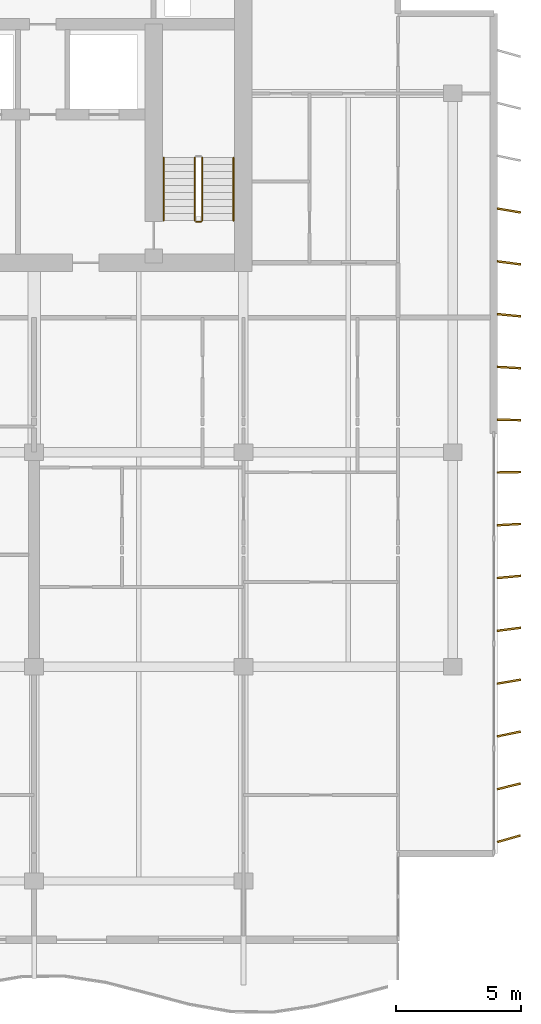
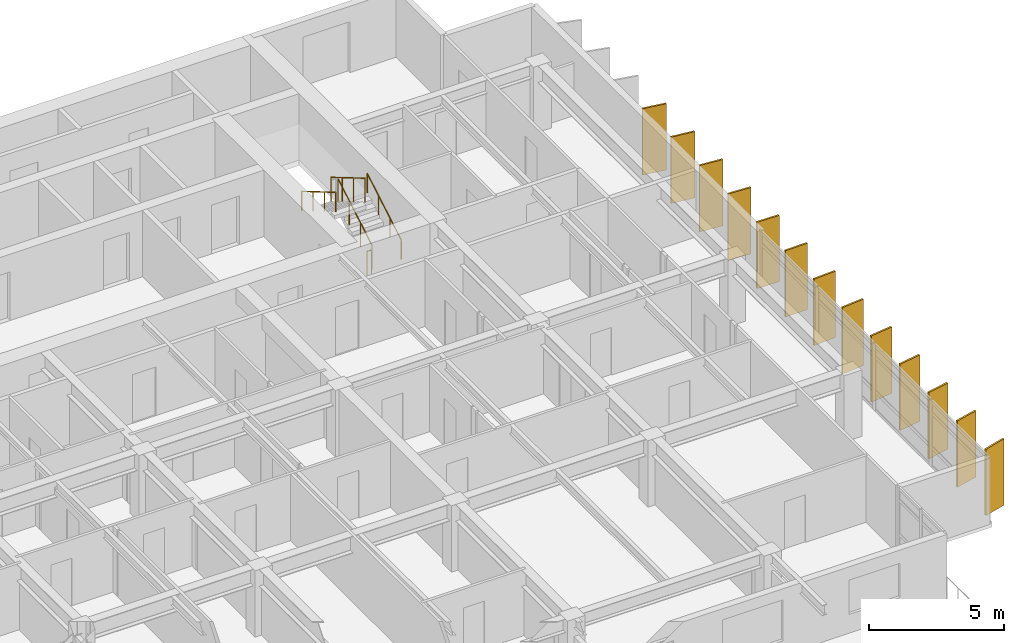
# One storey, part 14 of 16: 13 shading devices, 5 railings.
"""IFC4 building model written with IfcOpenShell, lengths in metres."""

from ifc_helpers import new_model, si_unit, direction, frame, origin, origin_2d, place, context, subcontext, project, spatial, rectangle, circle, extrude, material, material_profile, profile_set, type_object, element, save


model = new_model("IFC4")

# Units and contexts
model_context = context("Model", 3, precision=1e-05, world=origin(), true_north=direction((0.0, 1.0)))
body_context = subcontext(model_context, "Body", "Model", "MODEL_VIEW")
ifc_project = project(units=[si_unit("LENGTHUNIT", "METRE"), si_unit("AREAUNIT", "SQUARE_METRE"), si_unit("VOLUMEUNIT", "CUBIC_METRE"), si_unit("PLANEANGLEUNIT", "RADIAN"), si_unit("MASSUNIT", "GRAM", prefix="KILO")], contexts=[model_context])

# Site, building, storey
site_placement = place(None, origin())
site = spatial("IfcSite", under=ifc_project, at=site_placement, CompositionType="ELEMENT")
building_placement = place(site_placement, origin())
building = spatial("IfcBuilding", under=site, at=building_placement, Name="Caelmar Bay Residences", CompositionType="ELEMENT")
storey_placement = place(building_placement, frame((0.0, 0.0, 266.10009765625)))
storey = spatial("IfcBuildingStorey", under=building, at=storey_placement, Name="L75", CompositionType="ELEMENT", Elevation=266.10009765625)

# Railings
ifc_material_1 = material(Name="Painted galvanized steel stair guard 1100 mm", Category="steel")
railing_type_1 = type_object("IfcRailingType", Name="RL-GRD-1100", PredefinedType="GUARDRAIL", material=ifc_material_1)
railing_1_placement = place(storey_placement, frame((57.85009765625, 38.699951171875, 0.164794921875)))
element("IfcRailing", 1, at=railing_1_placement, inside=storey, type_object=railing_type_1, Name="L75 ST2 stair guard 1", PredefinedType="GUARDRAIL", context=body_context, shape_type="SweptSolid", body=[
    extrude(circle(Radius=0.02392578125, at=origin_2d()), frame((0.0, 0.0, 1.076171875), z_axis=(0.0, 0.86152411907, 0.507716645641), x_axis=(-1.0, 0.0, 0.0)), (0.0, 0.0, 1.0), 2.925048828125),
    extrude(circle(Radius=0.02099609375, at=origin_2d()), origin(), (0.0, 0.0, 1.0), 1.052001953125),
    extrude(circle(Radius=0.02099609375, at=origin_2d()), frame((0.0, 0.840087890625, 0.4951171875)), (0.0, 0.0, 1.0), 1.052001953125),
    extrude(circle(Radius=0.02099609375, at=origin_2d()), frame((0.0, 1.679931640625, 0.989990234375)), (0.0, 0.0, 1.0), 1.052001953125),
    extrude(circle(Radius=0.02099609375, at=origin_2d()), frame((0.0, 2.52001953125, 1.485107421875)), (0.0, 0.0, 1.0), 1.052001953125),
])
railing_2_placement = place(storey_placement, frame((57.550048828125, 41.219970703125, 1.81494140625)))
element("IfcRailing", 2, at=railing_2_placement, inside=storey, type_object=railing_type_1, Name="L75 ST2 stair guard 3", PredefinedType="GUARDRAIL", context=body_context, shape_type="SweptSolid", body=[
    extrude(circle(Radius=0.02392578125, at=origin_2d()), frame((0.0, 0.0, 1.076171875), z_axis=(0.0, -0.861560626758, 0.507654692109), x_axis=(1.0, 0.0, 0.0)), (0.0, 0.0, 1.0), 2.925048828125),
    extrude(circle(Radius=0.02099609375, at=origin_2d()), origin(), (0.0, 0.0, 1.0), 1.052001953125),
    extrude(circle(Radius=0.02099609375, at=origin_2d()), frame((0.0, -0.840087890625, 0.494873046875)), (0.0, 0.0, 1.0), 1.052001953125),
    extrude(circle(Radius=0.02099609375, at=origin_2d()), frame((0.0, -1.679931640625, 0.989990234375)), (0.0, 0.0, 1.0), 1.052001953125),
    extrude(circle(Radius=0.02099609375, at=origin_2d()), frame((0.0, -2.52001953125, 1.48486328125)), (0.0, 0.0, 1.0), 1.052001953125),
])
railing_3_placement = place(storey_placement, frame((57.800048828125, 38.64990234375, 0.0)))
element("IfcRailing", 3, at=railing_3_placement, inside=storey, type_object=railing_type_1, Name="L75 ST2 stair guard 4", PredefinedType="GUARDRAIL", context=body_context, shape_type="SweptSolid", body=[
    extrude(circle(Radius=0.02392578125, at=origin_2d()), frame((0.0, 0.0, 1.076171875), z_axis=(-1.0, 0.0, 0.0), x_axis=(0.0, -1.0, 0.0)), (0.0, 0.0, 1.0), 0.199951171875),
    extrude(circle(Radius=0.02099609375, at=origin_2d()), origin(), (0.0, 0.0, 1.0), 1.052001953125),
    extrude(circle(Radius=0.02099609375, at=origin_2d()), frame((-0.199951171875, 0.0, 0.0)), (0.0, 0.0, 1.0), 1.052001953125),
])
ifc_material_2 = material(Name="Brushed bronze stainless-steel tubular handrail 900 mm", Category="steel")
railing_type_2 = type_object("IfcRailingType", Name="RL-HND-900", PredefinedType="HANDRAIL", material=ifc_material_2)
railing_4_placement = place(storey_placement, frame((59.10009765625, 38.699951171875, 0.164794921875)))
element("IfcRailing", 4, at=railing_4_placement, inside=storey, type_object=railing_type_2, Name="L75 ST2 stair handrail 1", PredefinedType="HANDRAIL", context=body_context, shape_type="SweptSolid", body=[
    extrude(circle(Radius=0.02392578125, at=origin_2d()), frame((0.0, 0.0, 0.8759765625), z_axis=(0.0, 0.86152411907, 0.507716645641), x_axis=(-1.0, 0.0, 0.0)), (0.0, 0.0, 1.0), 2.925048828125),
    extrude(circle(Radius=0.02099609375, at=origin_2d()), origin(), (0.0, 0.0, 1.0), 0.851806640625),
    extrude(circle(Radius=0.02099609375, at=origin_2d()), frame((0.0, 0.840087890625, 0.4951171875)), (0.0, 0.0, 1.0), 0.851806640625),
    extrude(circle(Radius=0.02099609375, at=origin_2d()), frame((0.0, 1.679931640625, 0.989990234375)), (0.0, 0.0, 1.0), 0.851806640625),
    extrude(circle(Radius=0.02099609375, at=origin_2d()), frame((0.0, 2.52001953125, 1.485107421875)), (0.0, 0.0, 1.0), 0.851806640625),
])
railing_5_placement = place(storey_placement, frame((56.300048828125, 41.219970703125, 1.81494140625)))
element("IfcRailing", 5, at=railing_5_placement, inside=storey, type_object=railing_type_2, Name="L75 ST2 stair handrail 2", PredefinedType="HANDRAIL", context=body_context, shape_type="SweptSolid", body=[
    extrude(circle(Radius=0.02392578125, at=origin_2d()), frame((0.0, 0.0, 0.8759765625), z_axis=(0.0, -0.861560626758, 0.507654692109), x_axis=(1.0, 0.0, 0.0)), (0.0, 0.0, 1.0), 2.925048828125),
    extrude(circle(Radius=0.02099609375, at=origin_2d()), origin(), (0.0, 0.0, 1.0), 0.851806640625),
    extrude(circle(Radius=0.02099609375, at=origin_2d()), frame((0.0, -0.840087890625, 0.494873046875)), (0.0, 0.0, 1.0), 0.851806640625),
    extrude(circle(Radius=0.02099609375, at=origin_2d()), frame((0.0, -1.679931640625, 0.989990234375)), (0.0, 0.0, 1.0), 0.851806640625),
    extrude(circle(Radius=0.02099609375, at=origin_2d()), frame((0.0, -2.52001953125, 1.48486328125)), (0.0, 0.0, 1.0), 0.851806640625),
])

# Shading devices
ifc_material_3 = material(Name="Anodised architectural bronze aluminium 6063-T6", Category="aluminium")
ifc_material_profile = material_profile(ifc_material_3, rectangle(XDim=0.074951171875, YDim=0.949951171875, at=origin_2d()), Name="BRONZE-FIN-75X950")
ifc_profile_set = profile_set([ifc_material_profile], Name="Anodised architectural bronze aluminium 6063-T6")
shading_device_type = type_object("IfcShadingDeviceType", Name="SHD-FIN-950", PredefinedType="USERDEFINED", material=ifc_profile_set)
for number, where, z_axis, x_axis, name in (
    (6, (70.14990234375, 13.89990234375, 0.0), (0.0, 0.0, 1.0), (-0.275637355817, 0.961261695938, 0.0), "L75 East Bronze Solar Fin 1"),
    (7, (70.14990234375, 16.0, 0.0), (0.0, 0.0, 1.0), (-0.239719743609, 0.970842131618, 0.0), "L75 East Bronze Solar Fin 2"),
    (8, (70.14990234375, 18.10009765625, 0.0), (0.0, 0.0, 1.0), (-0.2032999874, 0.979116497217, 0.0), "L75 East Bronze Solar Fin 3"),
    (9, (70.14990234375, 20.199951171875, 0.0), (0.0, 0.0, 1.0), (-0.166768746716, 0.985996037071, 0.0), "L75 East Bronze Solar Fin 4"),
    (10, (70.14990234375, 22.300048828125, 0.0), (0.0, 0.0, 1.0), (-0.130007055036, 0.99151306882, 0.0), "L75 East Bronze Solar Fin 5"),
    (11, (70.14990234375, 24.39990234375, 0.0), (0.0, 0.0, 1.0), (-0.092891934994, 0.995676196569, 0.0), "L75 East Bronze Solar Fin 6"),
    (12, (70.14990234375, 26.5, 0.0), (0.0, 0.0, 1.0), (-0.055821504993, 0.998440764182, 0.0), "L75 East Bronze Solar Fin 7"),
    (13, (70.14990234375, 28.60009765625, 0.0), (0.0, 0.0, 1.0), (-0.018673937509, 0.999825626826, 0.0), "L75 East Bronze Solar Fin 8"),
    (14, (70.14990234375, 30.699951171875, 0.0), (0.0, 0.0, 1.0), (0.018673937509, 0.999825626826, 0.0), "L75 East Bronze Solar Fin 9"),
    (15, (70.14990234375, 32.800048828125, 0.0), (0.0, 0.0, 1.0), (0.055821504993, 0.998440764182, 0.0), "L75 East Bronze Solar Fin 10"),
    (16, (70.14990234375, 34.89990234375, 0.0), (0.0, 0.0, 1.0), (0.092891934994, 0.995676196569, 0.0), "L75 East Bronze Solar Fin 11"),
    (17, (70.14990234375, 37.0, 0.0), (0.0, 0.0, 1.0), (0.130007055036, 0.99151306882, 0.0), "L75 East Bronze Solar Fin 12"),
    (18, (70.14990234375, 39.10009765625, 0.0), (0.0, 0.0, 1.0), (0.166768746716, 0.985996037071, 0.0), "L75 East Bronze Solar Fin 13"),
):
    element("IfcShadingDevice", number, at=place(storey_placement, frame(where, z_axis=z_axis, x_axis=x_axis)), inside=storey, type_object=shading_device_type, Name=name, ObjectType="FIN", PredefinedType="USERDEFINED", context=body_context, shape_type="SweptSolid", body=[
        extrude(rectangle(XDim=0.074951171875, YDim=0.949951171875, at=origin_2d()), origin(), (0.0, 0.0, 1.0), 3.0),
    ])

save(model, "model.ifc")
